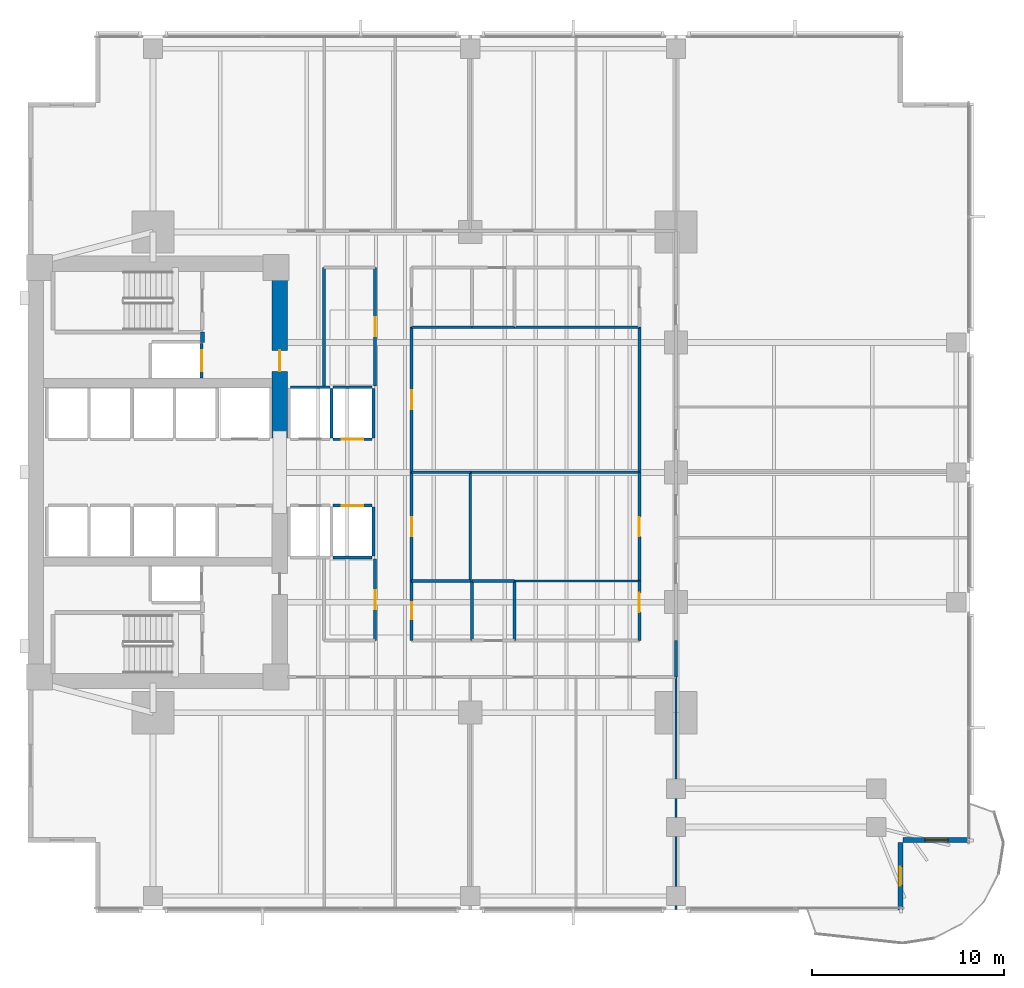
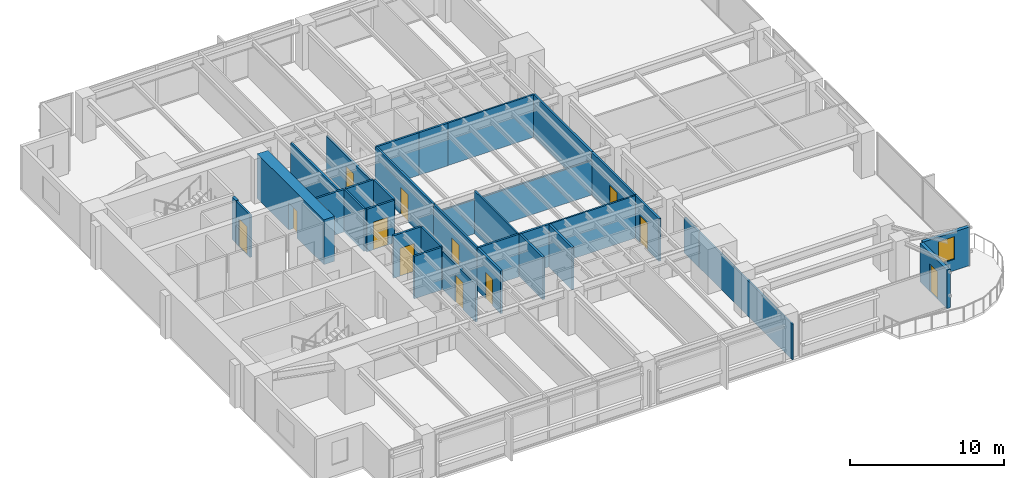
# One storey, part 9 of 15: 35 walls, 12 doors, 1 window, 13 openings.
"""IFC4 building model written with IfcOpenShell, lengths in metres."""

from ifc_helpers import new_model, si_unit, direction, frame, frame_2d, origin, place, context, subcontext, project, spatial, rectangle, extrude, material, layer, layer_set, type_object, element, fill, save


model = new_model("IFC4")

# Units and contexts
model_context = context("Model", 3, precision=1e-05, world=origin(), true_north=direction((0.0, 1.0)))
body_context = subcontext(model_context, "Body", "Model", "MODEL_VIEW")
ifc_project = project(units=[si_unit("LENGTHUNIT", "METRE"), si_unit("AREAUNIT", "SQUARE_METRE"), si_unit("VOLUMEUNIT", "CUBIC_METRE"), si_unit("PLANEANGLEUNIT", "RADIAN"), si_unit("MASSUNIT", "GRAM", prefix="KILO")], contexts=[model_context])

# Site, building, storey
site_placement = place(None, origin())
site = spatial("IfcSite", under=ifc_project, at=site_placement, CompositionType="ELEMENT")
building_placement = place(site_placement, origin())
building = spatial("IfcBuilding", under=site, at=building_placement, Name="Kinhvarn Gate Tower", CompositionType="ELEMENT")
storey_placement = place(building_placement, frame((0.0, 0.0, 64.64990234375)))
storey = spatial("IfcBuildingStorey", under=building, at=storey_placement, Name="L16", CompositionType="ELEMENT", Elevation=64.64990234375)

# Wall, opening, door
ifc_material_1 = material(Name="Concrete C70/85", Category="concrete")
ifc_layer_1 = layer(ifc_material_1, 0.800048828125)
ifc_layer_set_1 = layer_set([ifc_layer_1], Name="Concrete C70/85")
wall_type_1 = type_object("IfcWallType", Name="WL-CORE-800", PredefinedType="SHEAR", material=ifc_layer_set_1)
wall_1_placement = place(storey_placement, frame((17.60009765625, 27.050048828125, 0.0), z_axis=(0.0, 0.0, 1.0), x_axis=(0.0, 1.0, 0.0)))
wall_1 = element("IfcWall", 1, at=wall_1_placement, inside=storey, type_object=wall_type_1, Name="Core East-North Shear Pier L16 800 mm", PredefinedType="SHEAR", context=body_context, shape_type="SweptSolid", body=[
    extrude(rectangle(XDim=8.64990234375, YDim=0.800048828125, at=frame_2d((4.324951171875, 0.0))), origin(), (0.0, 0.0, 1.0), 3.550048828125),
])
opening_1_placement = place(wall_1_placement, frame((3.449951171875, 0.0, 0.0)))
opening_1 = element("IfcOpeningElement", 2, at=opening_1_placement, cuts=wall_1, Name="Opening FD-02", PredefinedType="OPENING", context=body_context, shape_type="SweptSolid", body=[
    extrude(rectangle(XDim=1.10009765625, YDim=2.14990234375, at=frame_2d((0.550048828125, 1.074951171875))), frame((0.0, 0.41015625, 0.0), z_axis=(0.0, -1.0, 0.0), x_axis=(1.0, 0.0, 0.0)), (0.0, 0.0, 1.0), 0.820068359375),
])
ifc_material_2 = material(Name="Anodised aluminium AW-6063", Category="aluminium")
door_type_1 = type_object("IfcDoorType", Name="DR-FD-1100", OperationType="NOTDEFINED", PredefinedType="DOOR", material=ifc_material_2)
door_1_placement = place(opening_1_placement, origin())
door_1 = element("IfcDoor", 3, at=door_1_placement, inside=storey, type_object=door_type_1, Name="Firefighting Lobby Core Door (L16)", OperationType="SINGLE_SWING_LEFT", OverallHeight=2.14990234375, OverallWidth=1.10009765625, PredefinedType="DOOR", context=body_context, shape_type="SweptSolid", body=[
    extrude(rectangle(XDim=1.10009765625, YDim=2.14990234375, at=frame_2d((0.550048828125, 1.074951171875))), frame((0.0, 0.02490234375, 0.0), z_axis=(0.0, -1.0, 0.0), x_axis=(1.0, 0.0, 0.0)), (0.0, 0.0, 1.0), 0.050048828125),
])
fill(opening_1, door_1)

ifc_material_3 = material(Name="Fired architectural terracotta", Category="masonry")
ifc_layer_2 = layer(ifc_material_3, 0.25)
ifc_layer_set_2 = layer_set([ifc_layer_2], Name="Fired architectural terracotta")
wall_type_2 = type_object("IfcWallType", Name="WL-EXT-250", PredefinedType="SOLIDWALL", material=ifc_layer_set_2)
wall_2_placement = place(storey_placement, frame((49.875, 2.5, 0.0), z_axis=(0.0, 0.0, 1.0), x_axis=(0.0, 1.0, 0.0)))
wall_2 = element("IfcWall", 4, at=wall_2_placement, inside=storey, type_object=wall_type_2, Name="Exterior Solidwall Wall EW-250 (L16 SE-Notch-Door)", PredefinedType="SOLIDWALL", context=body_context, shape_type="SweptSolid", body=[
    extrude(rectangle(XDim=3.5, YDim=0.25, at=frame_2d((1.75, 0.0))), origin(), (0.0, 0.0, 1.0), 3.070068359375),
])
opening_2_placement = place(wall_2_placement, frame((1.25, 0.0, 0.0)))
opening_2 = element("IfcOpeningElement", 5, at=opening_2_placement, cuts=wall_2, Name="Opening BD-01", PredefinedType="OPENING", context=body_context, shape_type="SweptSolid", body=[
    extrude(rectangle(XDim=1.0, YDim=2.199951171875, at=frame_2d((0.5, 1.10009765625))), frame((0.0, 0.135009765625, 0.0), z_axis=(0.0, -1.0, 0.0), x_axis=(1.0, 0.0, 0.0)), (0.0, 0.0, 1.0), 0.27001953125),
])
ifc_material_4 = material(Name="Clear low-e double glazing", Category="glass")
door_type_2 = type_object("IfcDoorType", Name="DR-BAL-1000", OperationType="NOTDEFINED", PredefinedType="DOOR", material=ifc_material_4)
door_2_placement = place(opening_2_placement, frame((1.0, 0.0, 0.0), z_axis=(0.0, 0.0, 1.0), x_axis=(-1.0, 0.0, 0.0)))
door_2 = element("IfcDoor", 6, at=door_2_placement, inside=storey, type_object=door_type_2, Name="S-Carve Balcony Door BD-01 (L16)", OperationType="SINGLE_SWING_LEFT", OverallHeight=2.199951171875, OverallWidth=1.0, PredefinedType="DOOR", context=body_context, shape_type="SweptSolid", body=[
    extrude(rectangle(XDim=1.0, YDim=2.199951171875, at=frame_2d((0.5, 1.10009765625))), frame((0.0, 0.02490234375, 0.0), z_axis=(0.0, -1.0, 0.0), x_axis=(1.0, 0.0, 0.0)), (0.0, 0.0, 1.0), 0.050048828125),
])
fill(opening_2, door_2)

# Wall, opening, window
wall_3_placement = place(storey_placement, frame((50.0, 6.125, 0.0), z_axis=(0.0, 0.0, 1.0), x_axis=(1.0, 0.0, 0.0)))
wall_3 = element("IfcWall", 7, at=wall_3_placement, inside=storey, type_object=wall_type_2, Name="Exterior Solidwall Wall EW-250 (L16 SE-Notch-Win)", PredefinedType="SOLIDWALL", context=body_context, shape_type="SweptSolid", body=[
    extrude(rectangle(XDim=3.5, YDim=0.25, at=frame_2d((1.75, 0.0))), origin(), (0.0, 0.0, 1.0), 3.070068359375),
])
opening_3_placement = place(wall_3_placement, frame((1.14990234375, 0.0, 0.89990234375)))
opening_3 = element("IfcOpeningElement", 8, at=opening_3_placement, cuts=wall_3, Name="Opening WN-02", PredefinedType="OPENING", context=body_context, shape_type="SweptSolid", body=[
    extrude(rectangle(XDim=1.199951171875, YDim=1.800048828125, at=frame_2d((0.60009765625, 0.89990234375))), frame((0.0, 0.135009765625, 0.0), z_axis=(0.0, -1.0, 0.0), x_axis=(1.0, 0.0, 0.0)), (0.0, 0.0, 1.0), 0.27001953125),
])
window_type = type_object("IfcWindowType", Name="WIN-NTC-1200", PartitioningType="SINGLE_PANEL", PredefinedType="WINDOW", material=ifc_material_4)
window_placement = place(opening_3_placement, origin())
window = element("IfcWindow", 9, at=window_placement, inside=storey, type_object=window_type, Name="Recessed Corner Notch Punched Window 1200x1800 mm (L16)", OverallHeight=1.800048828125, OverallWidth=1.199951171875, PartitioningType="SINGLE_PANEL", PredefinedType="WINDOW", context=body_context, shape_type="SweptSolid", body=[
    extrude(rectangle(XDim=1.199951171875, YDim=1.800048828125, at=frame_2d((0.60009765625, 0.89990234375))), frame((0.0, 0.030029296875, 0.0), z_axis=(0.0, -1.0, 0.0), x_axis=(1.0, 0.0, 0.0)), (0.0, 0.0, 1.0), 0.06005859375),
])
fill(opening_3, window)

# Walls
ifc_material_5 = material(Name="Gypsum acoustic partition board")
ifc_layer_3 = layer(ifc_material_5, 0.14990234375)
ifc_layer_set_3 = layer_set([ifc_layer_3], Name="Gypsum acoustic partition board")
wall_type_3 = type_object("IfcWallType", Name="WL-PLM-150", PredefinedType="PLUMBINGWALL", material=ifc_layer_set_3)
wall_4_placement = place(storey_placement, frame((27.60009765625, 16.5, 0.0), z_axis=(0.0, 0.0, 1.0), x_axis=(0.0, 1.0, 0.0)))
element("IfcWall", 10, at=wall_4_placement, inside=storey, type_object=wall_type_3, Name="Interior Partition PLW-150 (L16)", PredefinedType="PLUMBINGWALL", context=body_context, shape_type="SweptSolid", body=[
    extrude(rectangle(XDim=3.10009765625, YDim=0.14990234375, at=frame_2d((1.550048828125, 0.0))), origin(), (0.0, 0.0, 1.0), 3.3701171875),
])
wall_5_placement = place(storey_placement, frame((24.449951171875, 19.60009765625, 0.0), z_axis=(0.0, 0.0, 1.0), x_axis=(1.0, 0.0, 0.0)))
element("IfcWall", 11, at=wall_5_placement, inside=storey, type_object=wall_type_3, Name="Interior Partition PLW-150 (L16)", PredefinedType="PLUMBINGWALL", context=body_context, shape_type="SweptSolid", body=[
    extrude(rectangle(XDim=3.050048828125, YDim=0.14990234375, at=frame_2d((1.52490234375, 0.0))), origin(), (0.0, 0.0, 1.0), 3.3701171875),
])
wall_6_placement = place(storey_placement, frame((24.449951171875, 32.800048828125, 0.0), z_axis=(0.0, 0.0, 1.0), x_axis=(1.0, 0.0, 0.0)))
element("IfcWall", 12, at=wall_6_placement, inside=storey, type_object=wall_type_3, Name="Interior Partition PLW-150 (L16)", PredefinedType="PLUMBINGWALL", context=body_context, shape_type="SweptSolid", body=[
    extrude(rectangle(XDim=3.150146484375, YDim=0.14990234375, at=frame_2d((1.5751953125, 0.0))), origin(), (0.0, 0.0, 1.0), 3.3701171875),
])
wall_7_placement = place(storey_placement, frame((29.800048828125, 16.5, 0.0), z_axis=(0.0, 0.0, 1.0), x_axis=(0.0, 1.0, 0.0)))
element("IfcWall", 13, at=wall_7_placement, inside=storey, type_object=wall_type_3, Name="Interior Partition PLW-150 (L16)", PredefinedType="PLUMBINGWALL", context=body_context, shape_type="SweptSolid", body=[
    extrude(rectangle(XDim=3.10009765625, YDim=0.14990234375, at=frame_2d((1.550048828125, 0.0))), origin(), (0.0, 0.0, 1.0), 3.3701171875),
])
for number, where, z_axis, x_axis, name in (
    (14, (27.60009765625, 19.60009765625, 0.0), (0.0, 0.0, 1.0), (1.0, 0.0, 0.0), "Interior Partition PLW-150 (L16)"),
    (15, (27.60009765625, 32.800048828125, 0.0), (0.0, 0.0, 1.0), (1.0, 0.0, 0.0), "Interior Partition PLW-150 (L16)"),
):
    element("IfcWall", number, at=place(storey_placement, frame(where, z_axis=z_axis, x_axis=x_axis)), inside=storey, type_object=wall_type_3, Name=name, PredefinedType="PLUMBINGWALL", context=body_context, shape_type="SweptSolid", body=[
        extrude(rectangle(XDim=2.199951171875, YDim=0.14990234375, at=frame_2d((1.10009765625, 0.0))), origin(), (0.0, 0.0, 1.0), 3.3701171875),
    ])

# Wall, opening, door
ifc_layer_4 = layer(ifc_material_5, 0.14990234375)
ifc_layer_set_4 = layer_set([ifc_layer_4], Name="Gypsum acoustic partition board")
wall_type_4 = type_object("IfcWallType", Name="WL-PLM-150F", PredefinedType="PLUMBINGWALL", material=ifc_layer_set_4)
wall_8_placement = place(storey_placement, frame((24.449951171875, 16.5, 0.0), z_axis=(0.0, 0.0, 1.0), x_axis=(0.0, 1.0, 0.0)))
wall_8 = element("IfcWall", 16, at=wall_8_placement, inside=storey, type_object=wall_type_4, Name="Interior Partition PLW-150F (L16)", PredefinedType="PLUMBINGWALL", context=body_context, shape_type="SweptSolid", body=[
    extrude(rectangle(XDim=3.10009765625, YDim=0.14990234375, at=frame_2d((1.550048828125, 0.0))), origin(), (0.0, 0.0, 1.0), 3.3701171875),
])
opening_4_placement = place(wall_8_placement, frame((1.10009765625, 0.0, 0.0)))
opening_4 = element("IfcOpeningElement", 17, at=opening_4_placement, cuts=wall_8, Name="Opening FD-04", PredefinedType="OPENING", context=body_context, shape_type="SweptSolid", body=[
    extrude(rectangle(XDim=0.89990234375, YDim=2.10009765625, at=frame_2d((0.449951171875, 1.050048828125))), frame((0.0, 0.0849609375, 0.0), z_axis=(0.0, -1.0, 0.0), x_axis=(1.0, 0.0, 0.0)), (0.0, 0.0, 1.0), 0.169921875),
])
door_type_3 = type_object("IfcDoorType", Name="DR-FD-900", OperationType="NOTDEFINED", PredefinedType="DOOR", material=ifc_material_2)
door_3_placement = place(opening_4_placement, origin())
door_3 = element("IfcDoor", 18, at=door_3_placement, inside=storey, type_object=door_type_3, Name="Rated Riser & Service Closet Fire Door 900x2100 mm (L16)", OperationType="SINGLE_SWING_LEFT", OverallHeight=2.10009765625, OverallWidth=0.89990234375, PredefinedType="DOOR", context=body_context, shape_type="SweptSolid", body=[
    extrude(rectangle(XDim=0.89990234375, YDim=2.10009765625, at=frame_2d((0.449951171875, 1.050048828125))), frame((0.0, 0.02490234375, 0.0), z_axis=(0.0, -1.0, 0.0), x_axis=(1.0, 0.0, 0.0)), (0.0, 0.0, 1.0), 0.050048828125),
])
fill(opening_4, door_3)

# Walls
ifc_layer_5 = layer(ifc_material_5, 0.1201171875)
ifc_layer_set_5 = layer_set([ifc_layer_5], Name="Gypsum acoustic partition board")
wall_type_5 = type_object("IfcWallType", Name="WL-PRT-120", PredefinedType="PARTITIONING", material=ifc_layer_set_5)
for number, where, z_axis, x_axis, name in (
    (19, (29.800048828125, 19.60009765625, 0.0), (0.0, 0.0, 1.0), (1.0, 0.0, 0.0), "Interior Partition PW-120 (L16)"),
    (20, (29.800048828125, 32.800048828125, 0.0), (0.0, 0.0, 1.0), (1.0, 0.0, 0.0), "Interior Partition PW-120 (L16)"),
):
    element("IfcWall", number, at=place(storey_placement, frame(where, z_axis=z_axis, x_axis=x_axis)), inside=storey, type_object=wall_type_5, Name=name, PredefinedType="PARTITIONING", context=body_context, shape_type="SweptSolid", body=[
        extrude(rectangle(XDim=6.5, YDim=0.1201171875, at=frame_2d((3.25, 0.0))), origin(), (0.0, 0.0, 1.0), 3.3701171875),
    ])
wall_9_placement = place(storey_placement, frame((27.5, 19.60009765625, 0.0), z_axis=(0.0, 0.0, 1.0), x_axis=(0.0, 1.0, 0.0)))
element("IfcWall", 21, at=wall_9_placement, inside=storey, type_object=wall_type_5, Name="Interior Partition PW-120 (L16)", PredefinedType="PARTITIONING", context=body_context, shape_type="SweptSolid", body=[
    extrude(rectangle(XDim=5.64990234375, YDim=0.1201171875, at=frame_2d((2.824951171875, 0.0))), origin(), (0.0, 0.0, 1.0), 3.3701171875),
])
wall_10_placement = place(storey_placement, frame((24.449951171875, 25.25, 0.0), z_axis=(0.0, 0.0, 1.0), x_axis=(1.0, 0.0, 0.0)))
element("IfcWall", 22, at=wall_10_placement, inside=storey, type_object=wall_type_5, Name="Interior Partition PW-120 (L16)", PredefinedType="PARTITIONING", context=body_context, shape_type="SweptSolid", body=[
    extrude(rectangle(XDim=3.050048828125, YDim=0.1201171875, at=frame_2d((1.52490234375, 0.0))), origin(), (0.0, 0.0, 1.0), 2.72021484375),
])
wall_11_placement = place(storey_placement, frame((27.5, 25.25, 0.0), z_axis=(0.0, 0.0, 1.0), x_axis=(1.0, 0.0, 0.0)))
element("IfcWall", 23, at=wall_11_placement, inside=storey, type_object=wall_type_5, Name="Interior Partition PW-120 (L16)", PredefinedType="PARTITIONING", context=body_context, shape_type="SweptSolid", body=[
    extrude(rectangle(XDim=8.800048828125, YDim=0.1201171875, at=frame_2d((4.39990234375, 0.0))), origin(), (0.0, 0.0, 1.0), 2.72021484375),
])
wall_12_placement = place(storey_placement, frame((38.199951171875, 2.510009765625, 0.0), z_axis=(0.0, 0.0, 1.0), x_axis=(0.0, 1.0, 0.0)))
element("IfcWall", 24, at=wall_12_placement, inside=storey, type_object=wall_type_5, Name="Interior Partition PW-120 (L16)", PredefinedType="PARTITIONING", context=body_context, shape_type="SweptSolid", body=[
    extrude(rectangle(XDim=12.090087890625, YDim=0.1201171875, at=frame_2d((6.044921875, 0.0))), origin(), (0.0, 0.0, 1.0), 2.820068359375),
])

# Wall, opening, door
ifc_layer_6 = layer(ifc_material_5, 0.14990234375)
ifc_layer_set_6 = layer_set([ifc_layer_6], Name="Gypsum acoustic partition board")
wall_type_6 = type_object("IfcWallType", Name="WL-PRT-150F", PredefinedType="PARTITIONING", material=ifc_layer_set_6)
wall_13_placement = place(storey_placement, frame((22.550048828125, 16.5, 0.0), z_axis=(0.0, 0.0, 1.0), x_axis=(0.0, 1.0, 0.0)))
wall_13 = element("IfcWall", 25, at=wall_13_placement, inside=storey, type_object=wall_type_6, Name="Interior Partition PW-150F (L16)", PredefinedType="PARTITIONING", context=body_context, shape_type="SweptSolid", body=[
    extrude(rectangle(XDim=4.25, YDim=0.14990234375, at=frame_2d((2.125, 0.0))), origin(), (0.0, 0.0, 1.0), 3.010009765625),
])
opening_5_placement = place(wall_13_placement, frame((1.625, 0.0, 0.0)))
opening_5 = element("IfcOpeningElement", 26, at=opening_5_placement, cuts=wall_13, Name="Opening ID-02", PredefinedType="OPENING", context=body_context, shape_type="SweptSolid", body=[
    extrude(rectangle(XDim=1.0, YDim=2.14990234375, at=frame_2d((0.5, 1.074951171875))), frame((0.0, 0.0849609375, 0.0), z_axis=(0.0, -1.0, 0.0), x_axis=(1.0, 0.0, 0.0)), (0.0, 0.0, 1.0), 0.169921875),
])
door_type_4 = type_object("IfcDoorType", Name="DR-INT-1000", OperationType="NOTDEFINED", PredefinedType="DOOR", material=ifc_material_2)
door_4_placement = place(opening_5_placement, origin())
door_4 = element("IfcDoor", 27, at=door_4_placement, inside=storey, type_object=door_type_4, Name="Standard Office & Meeting Room Door 1000x2150 mm (L16)", OperationType="SINGLE_SWING_LEFT", OverallHeight=2.14990234375, OverallWidth=1.0, PredefinedType="DOOR", context=body_context, shape_type="SweptSolid", body=[
    extrude(rectangle(XDim=1.0, YDim=2.14990234375, at=frame_2d((0.5, 1.074951171875))), frame((0.0, 0.02490234375, 0.0), z_axis=(0.0, -1.0, 0.0), x_axis=(1.0, 0.0, 0.0)), (0.0, 0.0, 1.0), 0.050048828125),
])
fill(opening_5, door_4)

wall_14_placement = place(storey_placement, frame((22.550048828125, 29.75, 0.0), z_axis=(0.0, 0.0, 1.0), x_axis=(0.0, 1.0, 0.0)))
wall_14 = element("IfcWall", 28, at=wall_14_placement, inside=storey, type_object=wall_type_6, Name="Interior Partition PW-150F (L16)", PredefinedType="PARTITIONING", context=body_context, shape_type="SweptSolid", body=[
    extrude(rectangle(XDim=6.14990234375, YDim=0.14990234375, at=frame_2d((3.074951171875, 0.0))), origin(), (0.0, 0.0, 1.0), 3.010009765625),
])
opening_6_placement = place(wall_14_placement, frame((2.574951171875, 0.0, 0.0)))
opening_6 = element("IfcOpeningElement", 29, at=opening_6_placement, cuts=wall_14, Name="Opening ID-02", PredefinedType="OPENING", context=body_context, shape_type="SweptSolid", body=[
    extrude(rectangle(XDim=1.0, YDim=2.14990234375, at=frame_2d((0.5, 1.074951171875))), frame((0.0, 0.0849609375, 0.0), z_axis=(0.0, -1.0, 0.0), x_axis=(1.0, 0.0, 0.0)), (0.0, 0.0, 1.0), 0.169921875),
])
door_5_placement = place(opening_6_placement, origin())
door_5 = element("IfcDoor", 30, at=door_5_placement, inside=storey, type_object=door_type_4, Name="Standard Office & Meeting Room Door 1000x2150 mm (L16)", OperationType="SINGLE_SWING_RIGHT", OverallHeight=2.14990234375, OverallWidth=1.0, PredefinedType="DOOR", context=body_context, shape_type="SweptSolid", body=[
    extrude(rectangle(XDim=1.0, YDim=2.14990234375, at=frame_2d((0.5, 1.074951171875))), frame((0.0, 0.02490234375, 0.0), z_axis=(0.0, -1.0, 0.0), x_axis=(1.0, 0.0, 0.0)), (0.0, 0.0, 1.0), 0.050048828125),
])
fill(opening_6, door_5)

wall_15_placement = place(storey_placement, frame((24.449951171875, 19.60009765625, 0.0), z_axis=(0.0, 0.0, 1.0), x_axis=(0.0, 1.0, 0.0)))
wall_15 = element("IfcWall", 31, at=wall_15_placement, inside=storey, type_object=wall_type_6, Name="Interior Partition PW-150F (L16)", PredefinedType="PARTITIONING", context=body_context, shape_type="SweptSolid", body=[
    extrude(rectangle(XDim=5.64990234375, YDim=0.14990234375, at=frame_2d((2.824951171875, 0.0))), origin(), (0.0, 0.0, 1.0), 3.3701171875),
])
opening_7_placement = place(wall_15_placement, frame((2.324951171875, 0.0, 0.0)))
opening_7 = element("IfcOpeningElement", 32, at=opening_7_placement, cuts=wall_15, Name="Opening ID-02", PredefinedType="OPENING", context=body_context, shape_type="SweptSolid", body=[
    extrude(rectangle(XDim=1.0, YDim=2.14990234375, at=frame_2d((0.5, 1.074951171875))), frame((0.0, 0.0849609375, 0.0), z_axis=(0.0, -1.0, 0.0), x_axis=(1.0, 0.0, 0.0)), (0.0, 0.0, 1.0), 0.169921875),
])
door_6_placement = place(opening_7_placement, origin())
door_6 = element("IfcDoor", 33, at=door_6_placement, inside=storey, type_object=door_type_4, Name="Standard Office & Meeting Room Door 1000x2150 mm (L16)", OperationType="SINGLE_SWING_LEFT", OverallHeight=2.14990234375, OverallWidth=1.0, PredefinedType="DOOR", context=body_context, shape_type="SweptSolid", body=[
    extrude(rectangle(XDim=1.0, YDim=2.14990234375, at=frame_2d((0.5, 1.074951171875))), frame((0.0, 0.02490234375, 0.0), z_axis=(0.0, -1.0, 0.0), x_axis=(1.0, 0.0, 0.0)), (0.0, 0.0, 1.0), 0.050048828125),
])
fill(opening_7, door_6)

wall_16_placement = place(storey_placement, frame((24.449951171875, 25.25, 0.0), z_axis=(0.0, 0.0, 1.0), x_axis=(0.0, 1.0, 0.0)))
wall_16 = element("IfcWall", 34, at=wall_16_placement, inside=storey, type_object=wall_type_6, Name="Interior Partition PW-150F (L16)", PredefinedType="PARTITIONING", context=body_context, shape_type="SweptSolid", body=[
    extrude(rectangle(XDim=7.550048828125, YDim=0.14990234375, at=frame_2d((3.77490234375, 0.0))), origin(), (0.0, 0.0, 1.0), 3.3701171875),
])
opening_8_placement = place(wall_16_placement, frame((3.27490234375, 0.0, 0.0)))
opening_8 = element("IfcOpeningElement", 35, at=opening_8_placement, cuts=wall_16, Name="Opening ID-02", PredefinedType="OPENING", context=body_context, shape_type="SweptSolid", body=[
    extrude(rectangle(XDim=1.0, YDim=2.14990234375, at=frame_2d((0.5, 1.074951171875))), frame((0.0, 0.0849609375, 0.0), z_axis=(0.0, -1.0, 0.0), x_axis=(1.0, 0.0, 0.0)), (0.0, 0.0, 1.0), 0.169921875),
])
door_7_placement = place(opening_8_placement, origin())
door_7 = element("IfcDoor", 36, at=door_7_placement, inside=storey, type_object=door_type_4, Name="Standard Office & Meeting Room Door 1000x2150 mm (L16)", OperationType="SINGLE_SWING_RIGHT", OverallHeight=2.14990234375, OverallWidth=1.0, PredefinedType="DOOR", context=body_context, shape_type="SweptSolid", body=[
    extrude(rectangle(XDim=1.0, YDim=2.14990234375, at=frame_2d((0.5, 1.074951171875))), frame((0.0, 0.02490234375, 0.0), z_axis=(0.0, -1.0, 0.0), x_axis=(1.0, 0.0, 0.0)), (0.0, 0.0, 1.0), 0.050048828125),
])
fill(opening_8, door_7)

# Walls
wall_17_placement = place(storey_placement, frame((19.89990234375, 29.75, 0.0), z_axis=(0.0, 0.0, 1.0), x_axis=(0.0, 1.0, 0.0)))
element("IfcWall", 37, at=wall_17_placement, inside=storey, type_object=wall_type_6, Name="Interior Partition PW-150F (L16)", PredefinedType="PARTITIONING", context=body_context, shape_type="SweptSolid", body=[
    extrude(rectangle(XDim=6.14990234375, YDim=0.14990234375, at=frame_2d((3.074951171875, 0.0))), origin(), (0.0, 0.0, 1.0), 3.3701171875),
])
wall_18_placement = place(storey_placement, frame((38.199951171875, 14.60009765625, 0.0), z_axis=(0.0, 0.0, 1.0), x_axis=(0.0, 1.0, 0.0)))
element("IfcWall", 38, at=wall_18_placement, inside=storey, type_object=wall_type_6, Name="Interior Partition PW-150F (L16)", PredefinedType="PARTITIONING", context=body_context, shape_type="SweptSolid", body=[
    extrude(rectangle(XDim=1.89990234375, YDim=0.14990234375, at=frame_2d((0.949951171875, 0.0))), origin(), (0.0, 0.0, 1.0), 2.820068359375),
])

# Wall, opening, door
wall_19_placement = place(storey_placement, frame((36.300048828125, 16.5, 0.0), z_axis=(0.0, 0.0, 1.0), x_axis=(0.0, 1.0, 0.0)))
wall_19 = element("IfcWall", 39, at=wall_19_placement, inside=storey, type_object=wall_type_6, Name="Interior Partition PW-150F (L16)", PredefinedType="PARTITIONING", context=body_context, shape_type="SweptSolid", body=[
    extrude(rectangle(XDim=3.10009765625, YDim=0.14990234375, at=frame_2d((1.550048828125, 0.0))), origin(), (0.0, 0.0, 1.0), 3.3701171875),
])
opening_9_placement = place(wall_19_placement, frame((1.485107421875, 0.0, 0.0)))
opening_9 = element("IfcOpeningElement", 40, at=opening_9_placement, cuts=wall_19, Name="Opening ID-02", PredefinedType="OPENING", context=body_context, shape_type="SweptSolid", body=[
    extrude(rectangle(XDim=1.0, YDim=2.14990234375, at=frame_2d((0.5, 1.074951171875))), frame((0.0, 0.0849609375, 0.0), z_axis=(0.0, -1.0, 0.0), x_axis=(1.0, 0.0, 0.0)), (0.0, 0.0, 1.0), 0.169921875),
])
door_8_placement = place(opening_9_placement, origin())
door_8 = element("IfcDoor", 41, at=door_8_placement, inside=storey, type_object=door_type_4, Name="Standard Office & Meeting Room Door 1000x2150 mm (L16)", OperationType="SINGLE_SWING_LEFT", OverallHeight=2.14990234375, OverallWidth=1.0, PredefinedType="DOOR", context=body_context, shape_type="SweptSolid", body=[
    extrude(rectangle(XDim=1.0, YDim=2.14990234375, at=frame_2d((0.5, 1.074951171875))), frame((0.0, 0.02490234375, 0.0), z_axis=(0.0, -1.0, 0.0), x_axis=(1.0, 0.0, 0.0)), (0.0, 0.0, 1.0), 0.050048828125),
])
fill(opening_9, door_8)

wall_20_placement = place(storey_placement, frame((36.300048828125, 19.60009765625, 0.0), z_axis=(0.0, 0.0, 1.0), x_axis=(0.0, 1.0, 0.0)))
wall_20 = element("IfcWall", 42, at=wall_20_placement, inside=storey, type_object=wall_type_6, Name="Interior Partition PW-150F (L16)", PredefinedType="PARTITIONING", context=body_context, shape_type="SweptSolid", body=[
    extrude(rectangle(XDim=5.64990234375, YDim=0.14990234375, at=frame_2d((2.824951171875, 0.0))), origin(), (0.0, 0.0, 1.0), 3.3701171875),
])
opening_10_placement = place(wall_20_placement, frame((2.324951171875, 0.0, 0.0)))
opening_10 = element("IfcOpeningElement", 43, at=opening_10_placement, cuts=wall_20, Name="Opening ID-02", PredefinedType="OPENING", context=body_context, shape_type="SweptSolid", body=[
    extrude(rectangle(XDim=1.0, YDim=2.14990234375, at=frame_2d((0.5, 1.074951171875))), frame((0.0, 0.0849609375, 0.0), z_axis=(0.0, -1.0, 0.0), x_axis=(1.0, 0.0, 0.0)), (0.0, 0.0, 1.0), 0.169921875),
])
door_9_placement = place(opening_10_placement, origin())
door_9 = element("IfcDoor", 44, at=door_9_placement, inside=storey, type_object=door_type_4, Name="Standard Office & Meeting Room Door 1000x2150 mm (L16)", OperationType="SINGLE_SWING_LEFT", OverallHeight=2.14990234375, OverallWidth=1.0, PredefinedType="DOOR", context=body_context, shape_type="SweptSolid", body=[
    extrude(rectangle(XDim=1.0, YDim=2.14990234375, at=frame_2d((0.5, 1.074951171875))), frame((0.0, 0.02490234375, 0.0), z_axis=(0.0, -1.0, 0.0), x_axis=(1.0, 0.0, 0.0)), (0.0, 0.0, 1.0), 0.050048828125),
])
fill(opening_10, door_9)

# Walls
wall_21_placement = place(storey_placement, frame((36.300048828125, 25.25, 0.0), z_axis=(0.0, 0.0, 1.0), x_axis=(0.0, 1.0, 0.0)))
element("IfcWall", 45, at=wall_21_placement, inside=storey, type_object=wall_type_6, Name="Interior Partition PW-150F (L16)", PredefinedType="PARTITIONING", context=body_context, shape_type="SweptSolid", body=[
    extrude(rectangle(XDim=7.550048828125, YDim=0.14990234375, at=frame_2d((3.77490234375, 0.0))), origin(), (0.0, 0.0, 1.0), 3.3701171875),
])
ifc_layer_7 = layer(ifc_material_5, 0.199951171875)
ifc_layer_set_7 = layer_set([ifc_layer_7], Name="Gypsum acoustic partition board")
wall_type_7 = type_object("IfcWallType", Name="WL-PRT-200", PredefinedType="PARTITIONING", material=ifc_layer_set_7)
wall_22_placement = place(storey_placement, frame((13.580078125, 32.0, 0.0), z_axis=(0.0, 0.0, 1.0), x_axis=(0.0, 1.0, 0.0)))
element("IfcWall", 46, at=wall_22_placement, inside=storey, type_object=wall_type_7, Name="Interior Partition PW-200 (L16)", PredefinedType="PARTITIONING", context=body_context, shape_type="SweptSolid", body=[
    extrude(rectangle(XDim=0.5400390625, YDim=0.199951171875, at=frame_2d((0.27001953125, 0.0))), origin(), (0.0, 0.0, 1.0), 3.3701171875),
])
ifc_layer_8 = layer(ifc_material_5, 0.14990234375)
ifc_layer_set_8 = layer_set([ifc_layer_8], Name="Gypsum acoustic partition board")
wall_type_8 = type_object("IfcWallType", Name="WL-SHF-150", PredefinedType="PARTITIONING", material=ifc_layer_set_8)
wall_23_placement = place(storey_placement, frame((20.35009765625, 20.824951171875, 0.0), z_axis=(0.0, 0.0, 1.0), x_axis=(1.0, 0.0, 0.0)))
element("IfcWall", 47, at=wall_23_placement, inside=storey, type_object=wall_type_8, Name="Elevator PL-02 Hoistway Wall S (L16)", PredefinedType="PARTITIONING", context=body_context, shape_type="SweptSolid", body=[
    extrude(rectangle(XDim=2.0498046875, YDim=0.14990234375, at=frame_2d((1.02490234375, 0.0))), origin(), (0.0, 0.0, 1.0), 3.3701171875),
])

# Wall, opening, door
wall_24_placement = place(storey_placement, frame((20.35009765625, 23.52490234375, 0.0), z_axis=(0.0, 0.0, 1.0), x_axis=(1.0, 0.0, 0.0)))
wall_24 = element("IfcWall", 48, at=wall_24_placement, inside=storey, type_object=wall_type_8, Name="Elevator PL-02 Landing Wall (L16)", PredefinedType="PARTITIONING", context=body_context, shape_type="SweptSolid", body=[
    extrude(rectangle(XDim=2.0498046875, YDim=0.14990234375, at=frame_2d((1.02490234375, 0.0))), origin(), (0.0, 0.0, 1.0), 3.3701171875),
])
opening_11_placement = place(wall_24_placement, frame((0.47509765625, 0.0, 0.0)))
opening_11 = element("IfcOpeningElement", 49, at=opening_11_placement, cuts=wall_24, Name="Opening LD-01", PredefinedType="OPENING", context=body_context, shape_type="SweptSolid", body=[
    extrude(rectangle(XDim=1.10009765625, YDim=2.199951171875, at=frame_2d((0.550048828125, 1.10009765625))), frame((0.0, 0.0849609375, 0.0), z_axis=(0.0, -1.0, 0.0), x_axis=(1.0, 0.0, 0.0)), (0.0, 0.0, 1.0), 0.169921875),
])
door_type_5 = type_object("IfcDoorType", Name="DR-LND-PAS", OperationType="NOTDEFINED", PredefinedType="DOOR", material=ifc_material_2)
door_10_placement = place(opening_11_placement, origin())
door_10 = element("IfcDoor", 50, at=door_10_placement, inside=storey, type_object=door_type_5, Name="Elevator PL-02 Sliding Landing Door (L16)", OperationType="DOUBLE_DOOR_SLIDING", OverallHeight=2.199951171875, OverallWidth=1.10009765625, PredefinedType="DOOR", context=body_context, shape_type="SweptSolid", body=[
    extrude(rectangle(XDim=1.10009765625, YDim=2.199951171875, at=frame_2d((0.550048828125, 1.10009765625))), frame((0.0, 0.02490234375, 0.0), z_axis=(0.0, -1.0, 0.0), x_axis=(1.0, 0.0, 0.0)), (0.0, 0.0, 1.0), 0.050048828125),
])
fill(opening_11, door_10)

# Walls
wall_25_placement = place(storey_placement, frame((22.47509765625, 20.89990234375, 0.0), z_axis=(0.0, 0.0, 1.0), x_axis=(0.0, 1.0, 0.0)))
element("IfcWall", 51, at=wall_25_placement, inside=storey, type_object=wall_type_8, Name="Elevator PL-02 Hoistway Wall E (L16)", PredefinedType="PARTITIONING", context=body_context, shape_type="SweptSolid", body=[
    extrude(rectangle(XDim=2.550048828125, YDim=0.14990234375, at=frame_2d((1.27490234375, 0.0))), origin(), (0.0, 0.0, 1.0), 3.3701171875),
])
wall_26_placement = place(storey_placement, frame((18.14990234375, 29.675048828125, 0.0), z_axis=(0.0, 0.0, 1.0), x_axis=(1.0, 0.0, 0.0)))
element("IfcWall", 52, at=wall_26_placement, inside=storey, type_object=wall_type_8, Name="Elevator PL-03 Hoistway Wall N (L16)", PredefinedType="PARTITIONING", context=body_context, shape_type="SweptSolid", body=[
    extrude(rectangle(XDim=2.050048828125, YDim=0.14990234375, at=frame_2d((1.02490234375, 0.0))), origin(), (0.0, 0.0, 1.0), 3.3701171875),
])
wall_27_placement = place(storey_placement, frame((20.27490234375, 27.050048828125, 0.0), z_axis=(0.0, 0.0, 1.0), x_axis=(0.0, 1.0, 0.0)))
element("IfcWall", 53, at=wall_27_placement, inside=storey, type_object=wall_type_8, Name="Elevator PL-03 Hoistway Wall E (L16)", PredefinedType="PARTITIONING", context=body_context, shape_type="SweptSolid", body=[
    extrude(rectangle(XDim=2.550048828125, YDim=0.14990234375, at=frame_2d((1.27490234375, 0.0))), origin(), (0.0, 0.0, 1.0), 3.3701171875),
])

# Wall, opening, door
wall_28_placement = place(storey_placement, frame((20.35009765625, 26.97509765625, 0.0), z_axis=(0.0, 0.0, 1.0), x_axis=(1.0, 0.0, 0.0)))
wall_28 = element("IfcWall", 54, at=wall_28_placement, inside=storey, type_object=wall_type_8, Name="Elevator PL-04 Landing Wall (L16)", PredefinedType="PARTITIONING", context=body_context, shape_type="SweptSolid", body=[
    extrude(rectangle(XDim=2.0498046875, YDim=0.14990234375, at=frame_2d((1.02490234375, 0.0))), origin(), (0.0, 0.0, 1.0), 3.3701171875),
])
opening_12_placement = place(wall_28_placement, frame((0.47509765625, 0.0, 0.0)))
opening_12 = element("IfcOpeningElement", 55, at=opening_12_placement, cuts=wall_28, Name="Opening LD-01", PredefinedType="OPENING", context=body_context, shape_type="SweptSolid", body=[
    extrude(rectangle(XDim=1.10009765625, YDim=2.199951171875, at=frame_2d((0.550048828125, 1.10009765625))), frame((0.0, 0.0849609375, 0.0), z_axis=(0.0, -1.0, 0.0), x_axis=(1.0, 0.0, 0.0)), (0.0, 0.0, 1.0), 0.169921875),
])
door_11_placement = place(opening_12_placement, origin())
door_11 = element("IfcDoor", 56, at=door_11_placement, inside=storey, type_object=door_type_5, Name="Elevator PL-04 Sliding Landing Door (L16)", OperationType="DOUBLE_DOOR_SLIDING", OverallHeight=2.199951171875, OverallWidth=1.10009765625, PredefinedType="DOOR", context=body_context, shape_type="SweptSolid", body=[
    extrude(rectangle(XDim=1.10009765625, YDim=2.199951171875, at=frame_2d((0.550048828125, 1.10009765625))), frame((0.0, 0.02490234375, 0.0), z_axis=(0.0, -1.0, 0.0), x_axis=(1.0, 0.0, 0.0)), (0.0, 0.0, 1.0), 0.050048828125),
])
fill(opening_12, door_11)

# Walls
wall_29_placement = place(storey_placement, frame((20.35009765625, 29.675048828125, 0.0), z_axis=(0.0, 0.0, 1.0), x_axis=(1.0, 0.0, 0.0)))
element("IfcWall", 57, at=wall_29_placement, inside=storey, type_object=wall_type_8, Name="Elevator PL-04 Hoistway Wall N (L16)", PredefinedType="PARTITIONING", context=body_context, shape_type="SweptSolid", body=[
    extrude(rectangle(XDim=2.0498046875, YDim=0.14990234375, at=frame_2d((1.02490234375, 0.0))), origin(), (0.0, 0.0, 1.0), 3.3701171875),
])
wall_30_placement = place(storey_placement, frame((22.47509765625, 27.050048828125, 0.0), z_axis=(0.0, 0.0, 1.0), x_axis=(0.0, 1.0, 0.0)))
element("IfcWall", 58, at=wall_30_placement, inside=storey, type_object=wall_type_8, Name="Elevator PL-04 Hoistway Wall E (L16)", PredefinedType="PARTITIONING", context=body_context, shape_type="SweptSolid", body=[
    extrude(rectangle(XDim=2.550048828125, YDim=0.14990234375, at=frame_2d((1.27490234375, 0.0))), origin(), (0.0, 0.0, 1.0), 3.3701171875),
])

# Wall, opening, door
wall_31_placement = place(storey_placement, frame((13.52490234375, 30.14990234375, 0.0), z_axis=(0.0, 0.0, 1.0), x_axis=(0.0, 1.0, 0.0)))
wall_31 = element("IfcWall", 59, at=wall_31_placement, inside=storey, type_object=wall_type_8, Name="Elevator FF2 Landing Wall (L16)", PredefinedType="PARTITIONING", context=body_context, shape_type="SweptSolid", body=[
    extrude(rectangle(XDim=1.800048828125, YDim=0.14990234375, at=frame_2d((0.89990234375, 0.0))), origin(), (0.0, 0.0, 1.0), 3.3701171875),
])
opening_13_placement = place(wall_31_placement, frame((0.35009765625, 0.0, 0.0)))
opening_13 = element("IfcOpeningElement", 60, at=opening_13_placement, cuts=wall_31, Name="Opening LD-03", PredefinedType="OPENING", context=body_context, shape_type="SweptSolid", body=[
    extrude(rectangle(XDim=1.10009765625, YDim=2.199951171875, at=frame_2d((0.550048828125, 1.10009765625))), frame((0.0, 0.0849609375, 0.0), z_axis=(0.0, -1.0, 0.0), x_axis=(1.0, 0.0, 0.0)), (0.0, 0.0, 1.0), 0.169921875),
])
door_type_6 = type_object("IfcDoorType", Name="DR-LND-FF", OperationType="NOTDEFINED", PredefinedType="DOOR", material=ifc_material_2)
door_12_placement = place(opening_13_placement, origin())
door_12 = element("IfcDoor", 61, at=door_12_placement, inside=storey, type_object=door_type_6, Name="Elevator FF2 Sliding Landing Door (L16)", OperationType="DOUBLE_DOOR_SLIDING", OverallHeight=2.199951171875, OverallWidth=1.10009765625, PredefinedType="DOOR", context=body_context, shape_type="SweptSolid", body=[
    extrude(rectangle(XDim=1.10009765625, YDim=2.199951171875, at=frame_2d((0.550048828125, 1.10009765625))), frame((0.0, 0.02490234375, 0.0), z_axis=(0.0, -1.0, 0.0), x_axis=(1.0, 0.0, 0.0)), (0.0, 0.0, 1.0), 0.050048828125),
])
fill(opening_13, door_12)

save(model, "model.ifc")
